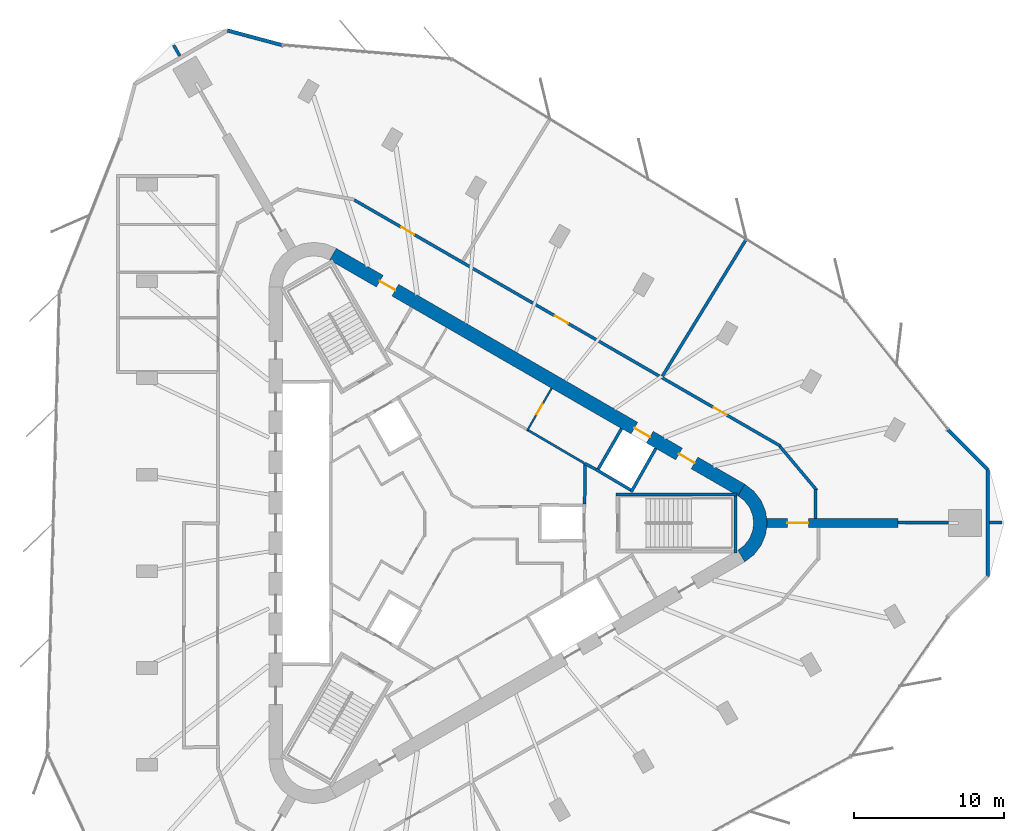
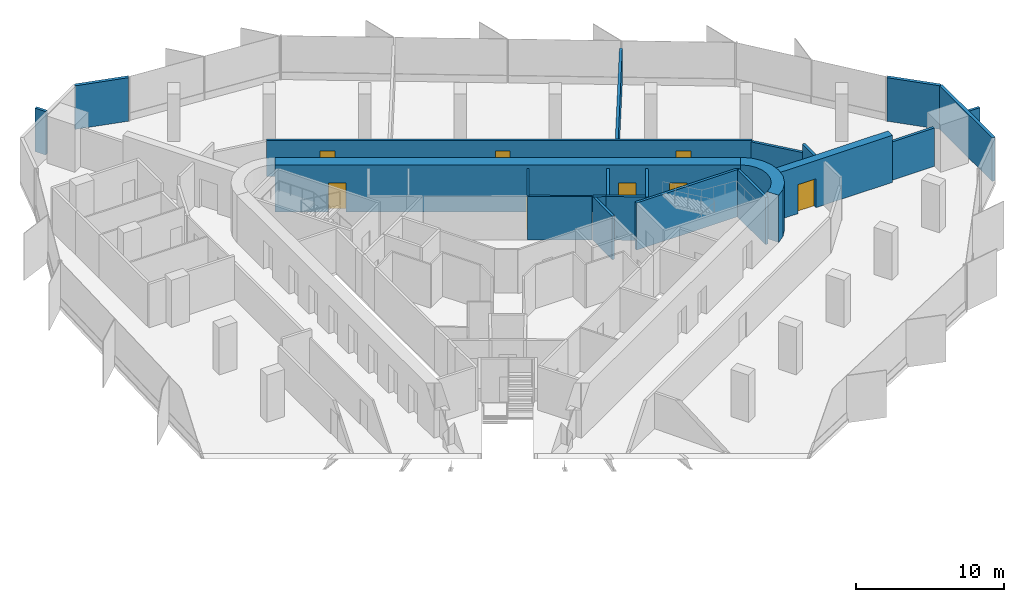
# One storey, part 11 of 13: 22 walls, 8 doors, 8 openings.
"""IFC4 building model written with IfcOpenShell, lengths in metres."""

from ifc_helpers import new_model, si_unit, direction, frame, frame_2d, origin, place, context, subcontext, project, spatial, polyline, rectangle, outline, extrude, material, layer, layer_set, type_object, element, fill, save


model = new_model("IFC4")

# Units and contexts
model_context = context("Model", 3, precision=1e-05, world=origin(), true_north=direction((0.0, 1.0)))
body_context = subcontext(model_context, "Body", "Model", "MODEL_VIEW")
ifc_project = project(units=[si_unit("LENGTHUNIT", "METRE"), si_unit("AREAUNIT", "SQUARE_METRE"), si_unit("VOLUMEUNIT", "CUBIC_METRE"), si_unit("PLANEANGLEUNIT", "RADIAN"), si_unit("MASSUNIT", "GRAM", prefix="KILO")], contexts=[model_context])

# Site, building, storey
site_placement = place(None, origin())
site = spatial("IfcSite", under=ifc_project, at=site_placement, CompositionType="ELEMENT")
building_placement = place(site_placement, origin())
building = spatial("IfcBuilding", under=site, at=building_placement, Name="Tanit Gate Tower", CompositionType="ELEMENT")
storey_placement = place(building_placement, frame((0.0, 0.0, 322.10009765625)))
storey = spatial("IfcBuildingStorey", under=building, at=storey_placement, Name="L72", CompositionType="ELEMENT", Elevation=322.10009765625)

# Wall, opening, door
ifc_material_1 = material(Name="Concrete C40/50", Category="concrete")
ifc_layer_1 = layer(ifc_material_1, 0.60009765625)
ifc_layer_set_1 = layer_set([ifc_layer_1], Name="BUTTRESS FIN 600 C40/50")
wall_type_1 = type_object("IfcWallType", Name="BUTTRESS FIN 600 C40/50", PredefinedType="SHEAR", material=ifc_layer_set_1)
wall_1_placement = place(storey_placement, frame((21.14990234375, 0.0, 0.0), z_axis=(0.0, 0.0, 1.0), x_axis=(1.0, 0.0, 0.0)))
wall_1 = element("IfcWall", 1, at=wall_1_placement, inside=storey, type_object=wall_type_1, Name="BUTTRESS FIN", PredefinedType="SHEAR", context=body_context, shape_type="SweptSolid", body=[
    extrude(rectangle(XDim=8.787353515625, YDim=0.60009765625, at=frame_2d((4.3935546875, 0.0))), origin(), (0.0, 0.0, 1.0), 3.89990234375),
])
opening_1_placement = place(wall_1_placement, frame((1.39990234375, 0.0, 0.0)))
opening_1 = element("IfcOpeningElement", 2, at=opening_1_placement, cuts=wall_1, Name="Opening P14-S20-F-E-1", PredefinedType="OPENING", context=body_context, shape_type="SweptSolid", body=[
    extrude(rectangle(XDim=1.39990234375, YDim=2.39990234375, at=frame_2d((0.699951171875, 1.199951171875))), frame((0.0, 0.31005859375, 0.0), z_axis=(0.0, -1.0, 0.0), x_axis=(1.0, 0.0, 0.0)), (0.0, 0.0, 1.0), 0.6201171875),
])
ifc_material_2 = material(Name="Timber door leaf", Category="wood")
door_type_1 = type_object("IfcDoorType", Name="INT-DOOR-FIN-PAIR-1400", OperationType="NOTDEFINED", PredefinedType="NOTDEFINED", material=ifc_material_2)
door_1_placement = place(opening_1_placement, origin())
door_1 = element("IfcDoor", 3, at=door_1_placement, inside=storey, type_object=door_type_1, Name="Door P14-S20-F-E-1", OperationType="DOUBLE_DOOR_SINGLE_SWING", OverallHeight=2.39990234375, OverallWidth=1.39990234375, PredefinedType="NOTDEFINED", context=body_context, shape_type="SweptSolid", body=[
    extrude(rectangle(XDim=1.39990234375, YDim=2.39990234375, at=frame_2d((0.699951171875, 1.199951171875))), frame((0.0, 0.02490234375, 0.0), z_axis=(0.0, -1.0, 0.0), x_axis=(1.0, 0.0, 0.0)), (0.0, 0.0, 1.0), 0.050048828125),
])
fill(opening_1, door_1)

# Wall, openings, doors
ifc_material_3 = material(Name="Concrete C40/50", Category="concrete")
ifc_layer_2 = layer(ifc_material_3, 0.89990234375)
ifc_layer_set_2 = layer_set([ifc_layer_2], Name="CORE WALL 900 C40/50")
wall_type_2 = type_object("IfcWallType", Name="CORE WALL 900 C40/50", PredefinedType="SHEAR", material=ifc_layer_set_2)
wall_2_placement = place(storey_placement, frame((19.47509765625, 2.20849609375, 0.0), z_axis=(0.0, 0.0, 1.0), x_axis=(-0.866028369851, 0.499994862586, 0.0)))
wall_2 = element("IfcWall", 4, at=wall_2_placement, inside=storey, type_object=wall_type_2, Name="CORE WALL", PredefinedType="SHEAR", context=body_context, shape_type="SweptSolid", body=[
    extrude(rectangle(XDim=31.523193359375, YDim=0.89990234375, at=frame_2d((15.76171875, 0.0))), origin(), (0.0, 0.0, 1.0), 3.89990234375),
])
opening_2_placement = place(wall_2_placement, frame((7.0615234375, 0.0, 0.0)))
opening_2 = element("IfcOpeningElement", 5, at=opening_2_placement, cuts=wall_2, Name="Opening LDHL8-S20", PredefinedType="OPENING", context=body_context, shape_type="SweptSolid", body=[
    extrude(rectangle(XDim=1.199951171875, YDim=2.39990234375, at=frame_2d((0.60009765625, 1.199951171875))), frame((0.0, 0.4599609375, 0.0), z_axis=(0.0, -1.0, 0.0), x_axis=(1.0, 0.0, 0.0)), (0.0, 0.0, 1.0), 0.919921875),
])
opening_3_placement = place(wall_2_placement, frame((3.611572265625, 0.0, 0.0)))
opening_3 = element("IfcOpeningElement", 6, at=opening_3_placement, cuts=wall_2, Name="Opening F12-S20-FL1", PredefinedType="OPENING", context=body_context, shape_type="SweptSolid", body=[
    extrude(rectangle(XDim=1.199951171875, YDim=2.39990234375, at=frame_2d((0.60009765625, 1.199951171875))), frame((0.0, 0.4599609375, 0.0), z_axis=(0.0, -1.0, 0.0), x_axis=(1.0, 0.0, 0.0)), (0.0, 0.0, 1.0), 0.919921875),
])
opening_4_placement = place(wall_2_placement, frame((26.711669921875, 0.0, 0.0)))
opening_4 = element("IfcOpeningElement", 7, at=opening_4_placement, cuts=wall_2, Name="Opening F12-S20-S2", PredefinedType="OPENING", context=body_context, shape_type="SweptSolid", body=[
    extrude(rectangle(XDim=1.199951171875, YDim=2.39990234375, at=frame_2d((0.60009765625, 1.199951171875))), frame((0.0, 0.4599609375, 0.0), z_axis=(0.0, -1.0, 0.0), x_axis=(1.0, 0.0, 0.0)), (0.0, 0.0, 1.0), 0.919921875),
])
ifc_material_4 = material(Name="Fire-rated steel door leaf", Category="steel")
door_type_2 = type_object("IfcDoorType", Name="INT-DOOR-FIRE-LOBBY-1200", OperationType="NOTDEFINED", PredefinedType="USERDEFINED", material=ifc_material_4)
door_2_placement = place(opening_3_placement, origin())
door_2 = element("IfcDoor", 8, at=door_2_placement, inside=storey, type_object=door_type_2, Name="Door F12-S20-FL1", ObjectType="FIRE DOOR", OperationType="SINGLE_SWING_LEFT", OverallHeight=2.39990234375, OverallWidth=1.199951171875, PredefinedType="USERDEFINED", context=body_context, shape_type="SweptSolid", body=[
    extrude(rectangle(XDim=1.199951171875, YDim=2.39990234375, at=frame_2d((0.60009765625, 1.199951171875))), frame((0.0, 0.02490234375, 0.0), z_axis=(0.0, -1.0, 0.0), x_axis=(1.0, 0.0, 0.0)), (0.0, 0.0, 1.0), 0.050048828125),
])
fill(opening_3, door_2)
door_3_placement = place(opening_4_placement, origin())
door_3 = element("IfcDoor", 9, at=door_3_placement, inside=storey, type_object=door_type_2, Name="Door F12-S20-S2", ObjectType="FIRE DOOR", OperationType="SINGLE_SWING_LEFT", OverallHeight=2.39990234375, OverallWidth=1.199951171875, PredefinedType="USERDEFINED", context=body_context, shape_type="SweptSolid", body=[
    extrude(rectangle(XDim=1.199951171875, YDim=2.39990234375, at=frame_2d((0.60009765625, 1.199951171875))), frame((0.0, 0.02490234375, 0.0), z_axis=(0.0, -1.0, 0.0), x_axis=(1.0, 0.0, 0.0)), (0.0, 0.0, 1.0), 0.050048828125),
])
fill(opening_4, door_3)
ifc_material_5 = material(Name="Stainless steel sliding door leaf", Category="steel")
door_type_3 = type_object("IfcDoorType", Name="INT-DOOR-LANDING-1200", OperationType="NOTDEFINED", PredefinedType="USERDEFINED", material=ifc_material_5)
door_4_placement = place(opening_2_placement, origin())
door_4 = element("IfcDoor", 10, at=door_4_placement, inside=storey, type_object=door_type_3, Name="Door LDHL8-S20", ObjectType="LANDING DOOR", OperationType="SLIDING_TO_LEFT", OverallHeight=2.39990234375, OverallWidth=1.199951171875, PredefinedType="USERDEFINED", context=body_context, shape_type="SweptSolid", body=[
    extrude(rectangle(XDim=1.199951171875, YDim=2.39990234375, at=frame_2d((0.60009765625, 1.199951171875))), frame((0.0, 0.02490234375, 0.0), z_axis=(0.0, -1.0, 0.0), x_axis=(1.0, 0.0, 0.0)), (0.0, 0.0, 1.0), 0.050048828125),
])
fill(opening_2, door_4)

# Walls
wall_3_placement = place(storey_placement, origin())
element("IfcWall", 11, at=wall_3_placement, inside=storey, type_object=wall_type_2, Name="CORE WALL CORNER", PredefinedType="SHEAR", context=body_context, shape_type="SweptSolid", body=[
    extrude(outline(polyline([(19.699951171875, -2.59814453125), (20.3212890625, -2.121337890625), (20.798095703125, -1.5), (21.097900390625, -0.776611328125), (21.199951171875, 0.0), (21.097900390625, 0.776611328125), (20.798095703125, 1.5), (20.3212890625, 2.121337890625), (19.699951171875, 2.59814453125), (19.25, 1.818603515625), (19.684814453125, 1.48486328125), (20.018798828125, 1.050048828125), (20.228515625, 0.54345703125), (20.300048828125, 0.0), (20.228515625, -0.54345703125), (20.018798828125, -1.050048828125), (19.684814453125, -1.48486328125), (19.25, -1.818603515625), (19.699951171875, -2.59814453125)])), origin(), (0.0, 0.0, 1.0), 3.89990234375),
])
ifc_material_6 = material(Name="Concrete C30/37 with bronze anodised aluminium cladding", Category="concrete")
ifc_layer_3 = layer(ifc_material_6, 0.239990234375)
ifc_layer_set_3 = layer_set([ifc_layer_3], Name="Facade wall bronze clad 240")
wall_type_3 = type_object("IfcWallType", Name="Facade wall bronze clad 240", PredefinedType="SOLIDWALL", material=ifc_layer_set_3)
wall_4_placement = place(storey_placement, frame((-11.245849609375, 31.95458984375, 0.0), z_axis=(0.0, 0.0, 1.0), x_axis=(-0.965926566302, 0.258816283321, 0.0)))
element("IfcWall", 12, at=wall_4_placement, inside=storey, type_object=wall_type_3, Name="Bronze-clad facade wall L72 NW.arc1", PredefinedType="SOLIDWALL", context=body_context, shape_type="SweptSolid", body=[
    extrude(rectangle(XDim=3.75341796875, YDim=0.239990234375, at=frame_2d((1.876708984375, 0.0))), origin(), (0.0, 0.0, 1.0), 3.599853515625),
])
wall_5_placement = place(storey_placement, frame((35.950439453125, -3.583984375, 0.0), z_axis=(0.0, 0.0, 1.0), x_axis=(0.0, 1.0, 0.0)))
element("IfcWall", 13, at=wall_5_placement, inside=storey, type_object=wall_type_3, Name="Bronze-clad facade wall L72 E.arc2", PredefinedType="SOLIDWALL", context=body_context, shape_type="SweptSolid", body=[
    extrude(rectangle(XDim=7.16796875, YDim=0.239990234375, at=frame_2d((3.583984375, 0.0))), origin(), (0.0, 0.0, 1.0), 3.599853515625),
])
wall_6_placement = place(storey_placement, frame((35.950439453125, 3.583984375, 0.0), z_axis=(0.0, 0.0, 1.0), x_axis=(-0.707074223377, 0.707139337497, 0.0)))
element("IfcWall", 14, at=wall_6_placement, inside=storey, type_object=wall_type_3, Name="Bronze-clad facade wall L72 E.arc3", PredefinedType="SOLIDWALL", context=body_context, shape_type="SweptSolid", body=[
    extrude(rectangle(XDim=3.74951171875, YDim=0.239990234375, at=frame_2d((1.874755859375, 0.0))), origin(), (0.0, 0.0, 1.0), 3.599853515625),
])
ifc_material_7 = material(Name="Fire-rated gypsum board partition")
ifc_layer_4 = layer(ifc_material_7, 0.199951171875)
ifc_layer_set_4 = layer_set([ifc_layer_4], Name="INT-WALL-COMPARTMENT")
wall_type_4 = type_object("IfcWallType", Name="INT-WALL-COMPARTMENT", PredefinedType="PARTITIONING", material=ifc_layer_set_4)
wall_7_placement = place(storey_placement, frame((8.97412109375, 3.998779296875, 0.0), z_axis=(0.0, 0.0, 1.0), x_axis=(0.880917147855, -0.473270513147, 0.0)))
element("IfcWall", 15, at=wall_7_placement, inside=storey, type_object=wall_type_4, Name="Wall Compartment W045", PredefinedType="PARTITIONING", context=body_context, shape_type="SweptSolid", body=[
    extrude(rectangle(XDim=0.8779296875, YDim=0.199951171875, at=frame_2d((0.43896484375, 0.0))), origin(), (0.0, 0.0, 1.0), 3.599853515625),
])
wall_8_placement = place(storey_placement, frame((9.0009765625, 1.27001953125, 0.0), z_axis=(0.0, 0.0, 1.0), x_axis=(0.01074821465, 0.999942236273, 0.0)))
element("IfcWall", 16, at=wall_8_placement, inside=storey, type_object=wall_type_4, Name="Wall Compartment W059", PredefinedType="PARTITIONING", context=body_context, shape_type="SweptSolid", body=[
    extrude(rectangle(XDim=2.725830078125, YDim=0.199951171875, at=frame_2d((1.36279296875, 0.0))), origin(), (0.0, 0.0, 1.0), 3.599853515625),
])

# Wall, openings, doors
wall_9_placement = place(storey_placement, frame((22.074462890625, 5.153076171875, 0.0), z_axis=(0.0, 0.0, 1.0), x_axis=(-0.866023485483, 0.500003322581, 0.0)))
wall_9 = element("IfcWall", 17, at=wall_9_placement, inside=storey, type_object=wall_type_4, Name="Wall Compartment W099", PredefinedType="PARTITIONING", context=body_context, shape_type="SweptSolid", body=[
    extrude(rectangle(XDim=32.881103515625, YDim=0.199951171875, at=frame_2d((16.4404296875, 0.0))), origin(), (0.0, 0.0, 1.0), 2.969970703125),
])
opening_5_placement = place(wall_9_placement, frame((28.2490234375, 0.0, 0.0)))
opening_5 = element("IfcOpeningElement", 18, at=opening_5_placement, cuts=wall_9, Name="Opening F10-S20-24", PredefinedType="OPENING", context=body_context, shape_type="SweptSolid", body=[
    extrude(rectangle(XDim=1.0, YDim=2.10009765625, at=frame_2d((0.5, 1.050048828125))), frame((0.0, 0.10986328125, 0.0), z_axis=(0.0, -1.0, 0.0), x_axis=(1.0, 0.0, 0.0)), (0.0, 0.0, 1.0), 0.219970703125),
])
opening_6_placement = place(wall_9_placement, frame((16.386962890625, 0.0, 0.0)))
opening_6 = element("IfcOpeningElement", 19, at=opening_6_placement, cuts=wall_9, Name="Opening F10-S20-25", PredefinedType="OPENING", context=body_context, shape_type="SweptSolid", body=[
    extrude(rectangle(XDim=1.0, YDim=2.10009765625, at=frame_2d((0.5, 1.050048828125))), frame((0.0, 0.10986328125, 0.0), z_axis=(0.0, -1.0, 0.0), x_axis=(1.0, 0.0, 0.0)), (0.0, 0.0, 1.0), 0.219970703125),
])
opening_7_placement = place(wall_9_placement, frame((4.12841796875, 0.0, 0.0)))
opening_7 = element("IfcOpeningElement", 20, at=opening_7_placement, cuts=wall_9, Name="Opening F10-S20-26", PredefinedType="OPENING", context=body_context, shape_type="SweptSolid", body=[
    extrude(rectangle(XDim=1.0, YDim=2.10009765625, at=frame_2d((0.5, 1.050048828125))), frame((0.0, 0.10986328125, 0.0), z_axis=(0.0, -1.0, 0.0), x_axis=(1.0, 0.0, 0.0)), (0.0, 0.0, 1.0), 0.219970703125),
])
ifc_material_8 = material(Name="Fire-rated steel door leaf", Category="steel")
door_type_4 = type_object("IfcDoorType", Name="INT-DOOR-FIRE-1000", OperationType="NOTDEFINED", PredefinedType="USERDEFINED", material=ifc_material_8)
door_5_placement = place(opening_5_placement, origin())
door_5 = element("IfcDoor", 21, at=door_5_placement, inside=storey, type_object=door_type_4, Name="Door F10-S20-24", ObjectType="FIRE DOOR", OperationType="SINGLE_SWING_RIGHT", OverallHeight=2.10009765625, OverallWidth=1.0, PredefinedType="USERDEFINED", context=body_context, shape_type="SweptSolid", body=[
    extrude(rectangle(XDim=1.0, YDim=2.10009765625, at=frame_2d((0.5, 1.050048828125))), frame((0.0, 0.02490234375, 0.0), z_axis=(0.0, -1.0, 0.0), x_axis=(1.0, 0.0, 0.0)), (0.0, 0.0, 1.0), 0.050048828125),
])
fill(opening_5, door_5)
door_6_placement = place(opening_6_placement, origin())
door_6 = element("IfcDoor", 22, at=door_6_placement, inside=storey, type_object=door_type_4, Name="Door F10-S20-25", ObjectType="FIRE DOOR", OperationType="SINGLE_SWING_LEFT", OverallHeight=2.10009765625, OverallWidth=1.0, PredefinedType="USERDEFINED", context=body_context, shape_type="SweptSolid", body=[
    extrude(rectangle(XDim=1.0, YDim=2.10009765625, at=frame_2d((0.5, 1.050048828125))), frame((0.0, 0.02490234375, 0.0), z_axis=(0.0, -1.0, 0.0), x_axis=(1.0, 0.0, 0.0)), (0.0, 0.0, 1.0), 0.050048828125),
])
fill(opening_6, door_6)
door_7_placement = place(opening_7_placement, origin())
door_7 = element("IfcDoor", 23, at=door_7_placement, inside=storey, type_object=door_type_4, Name="Door F10-S20-26", ObjectType="FIRE DOOR", OperationType="SINGLE_SWING_RIGHT", OverallHeight=2.10009765625, OverallWidth=1.0, PredefinedType="USERDEFINED", context=body_context, shape_type="SweptSolid", body=[
    extrude(rectangle(XDim=1.0, YDim=2.10009765625, at=frame_2d((0.5, 1.050048828125))), frame((0.0, 0.02490234375, 0.0), z_axis=(0.0, -1.0, 0.0), x_axis=(1.0, 0.0, 0.0)), (0.0, 0.0, 1.0), 0.050048828125),
])
fill(opening_7, door_7)

# Walls
wall_10_placement = place(storey_placement, frame((24.520751953125, 2.1845703125, 0.0), z_axis=(0.0, 0.0, 1.0), x_axis=(-0.642781993054, 0.766049155998, 0.0)))
element("IfcWall", 24, at=wall_10_placement, inside=storey, type_object=wall_type_4, Name="Wall Compartment W100", PredefinedType="PARTITIONING", context=body_context, shape_type="SweptSolid", body=[
    extrude(rectangle(XDim=3.84033203125, YDim=0.199951171875, at=frame_2d((1.920166015625, 0.0))), origin(), (0.0, 0.0, 1.0), 2.8798828125),
])
wall_11_placement = place(storey_placement, frame((24.420166015625, 0.300048828125, 0.0), z_axis=(0.0, 0.0, 1.0), x_axis=(0.013193472226, 0.999912962358, 0.0)))
element("IfcWall", 25, at=wall_11_placement, inside=storey, type_object=wall_type_4, Name="Wall Compartment W101", PredefinedType="PARTITIONING", context=body_context, shape_type="SweptSolid", body=[
    extrude(rectangle(XDim=1.924560546875, YDim=0.199951171875, at=frame_2d((0.96240234375, 0.0))), origin(), (0.0, 0.0, 1.0), 3.599853515625),
])
wall_12_placement = place(storey_placement, frame((-18.061279296875, 31.222900390625, 0.0), z_axis=(0.0, 0.0, 1.0), x_axis=(-0.499798627271, 0.866141635172, 0.0)))
element("IfcWall", 26, at=wall_12_placement, inside=storey, type_object=wall_type_4, Name="Wall Compartment W108", PredefinedType="PARTITIONING", context=body_context, shape_type="SweptSolid", body=[
    extrude(rectangle(XDim=0.832275390625, YDim=0.199951171875, at=frame_2d((0.416015625, 0.0))), origin(), (0.0, 0.0, 1.0), 3.599853515625),
])
wall_13_placement = place(storey_placement, frame((19.794677734375, 18.95458984375, 0.0), z_axis=(0.0, 0.0, 1.0), x_axis=(-0.522384145162, -0.852710270187, 0.0)))
element("IfcWall", 27, at=wall_13_placement, inside=storey, type_object=wall_type_4, Name="Wall Compartment W121", PredefinedType="PARTITIONING", context=body_context, shape_type="SweptSolid", body=[
    extrude(rectangle(XDim=10.716064453125, YDim=0.199951171875, at=frame_2d((5.35791015625, 0.0))), origin(), (0.0, 0.0, 1.0), 2.969970703125),
])
wall_14_placement = place(storey_placement, frame((33.3349609375, 0.030029296875, 0.0), z_axis=(0.0, 0.0, 1.0), x_axis=(-0.999994052186, -0.003448998671, 0.0)))
element("IfcWall", 28, at=wall_14_placement, inside=storey, type_object=wall_type_4, Name="Wall Compartment W122", PredefinedType="PARTITIONING", context=body_context, shape_type="SweptSolid", body=[
    extrude(rectangle(XDim=3.397705078125, YDim=0.199951171875, at=frame_2d((1.69873046875, 0.0))), origin(), (0.0, 0.0, 1.0), 3.169921875),
])
wall_15_placement = place(storey_placement, frame((36.90283203125, 0.030029296875, 0.0), z_axis=(0.0, 0.0, 1.0), x_axis=(-1.0, 0.0, 0.0)))
element("IfcWall", 29, at=wall_15_placement, inside=storey, type_object=wall_type_4, Name="Wall Compartment W123", PredefinedType="PARTITIONING", context=body_context, shape_type="SweptSolid", body=[
    extrude(rectangle(XDim=0.832275390625, YDim=0.199951171875, at=frame_2d((0.416015625, 0.0))), origin(), (0.0, 0.0, 1.0), 3.599853515625),
])

# Wall, opening, door
ifc_material_9 = material(Name="Gypsum board partition")
ifc_layer_5 = layer(ifc_material_9, 0.1201171875)
ifc_layer_set_5 = layer_set([ifc_layer_5], Name="INT-WALL-PARTITION")
wall_type_5 = type_object("IfcWallType", Name="INT-WALL-PARTITION", PredefinedType="PARTITIONING", material=ifc_layer_set_5)
wall_16_placement = place(storey_placement, frame((5.170166015625, 6.19482421875, 0.0), z_axis=(0.0, 0.0, 1.0), x_axis=(0.499984717929, 0.866034226713, 0.0)))
wall_16 = element("IfcWall", 30, at=wall_16_placement, inside=storey, type_object=wall_type_5, Name="Wall Partition W044", PredefinedType="PARTITIONING", context=body_context, shape_type="SweptSolid", body=[
    extrude(rectangle(XDim=3.25, YDim=0.1201171875, at=frame_2d((1.625, 0.0))), origin(), (0.0, 0.0, 1.0), 3.599853515625),
])
opening_8_placement = place(wall_16_placement, frame((1.22509765625, 0.0, 0.0)))
opening_8 = element("IfcOpeningElement", 31, at=opening_8_placement, cuts=wall_16, Name="Opening R08-S20-13", PredefinedType="OPENING", context=body_context, shape_type="SweptSolid", body=[
    extrude(rectangle(XDim=0.800048828125, YDim=2.10009765625, at=frame_2d((0.39990234375, 1.050048828125))), frame((0.0, 0.070068359375, 0.0), z_axis=(0.0, -1.0, 0.0), x_axis=(1.0, 0.0, 0.0)), (0.0, 0.0, 1.0), 0.14013671875),
])
ifc_material_10 = material(Name="Timber door leaf", Category="wood")
door_type_5 = type_object("IfcDoorType", Name="INT-DOOR-RISER-800", OperationType="NOTDEFINED", PredefinedType="USERDEFINED", material=ifc_material_10)
door_8_placement = place(opening_8_placement, origin())
door_8 = element("IfcDoor", 32, at=door_8_placement, inside=storey, type_object=door_type_5, Name="Door R08-S20-13", ObjectType="FIRE DOOR", OperationType="SINGLE_SWING_LEFT", OverallHeight=2.10009765625, OverallWidth=0.800048828125, PredefinedType="USERDEFINED", context=body_context, shape_type="SweptSolid", body=[
    extrude(rectangle(XDim=0.800048828125, YDim=2.10009765625, at=frame_2d((0.39990234375, 1.050048828125))), frame((0.0, 0.02490234375, 0.0), z_axis=(0.0, -1.0, 0.0), x_axis=(1.0, 0.0, 0.0)), (0.0, 0.0, 1.0), 0.050048828125),
])
fill(opening_8, door_8)

# Walls
ifc_material_11 = material(Name="Fire-rated gypsum board partition")
ifc_layer_6 = layer(ifc_material_11, 0.14990234375)
ifc_layer_set_6 = layer_set([ifc_layer_6], Name="INT-WALL-RISER")
wall_type_6 = type_object("IfcWallType", Name="INT-WALL-RISER", PredefinedType="PLUMBINGWALL", material=ifc_layer_set_6)
wall_17_placement = place(storey_placement, frame((8.9306640625, 4.024658203125, 0.0), z_axis=(0.0, 0.0, 1.0), x_axis=(-0.862666884027, 0.505772525157, 0.0)))
element("IfcWall", 33, at=wall_17_placement, inside=storey, type_object=wall_type_6, Name="Wall Riser W046", PredefinedType="PLUMBINGWALL", context=body_context, shape_type="SweptSolid", body=[
    extrude(rectangle(XDim=4.371826171875, YDim=0.14990234375, at=frame_2d((2.18603515625, 0.0))), origin(), (0.0, 0.0, 1.0), 3.599853515625),
])
ifc_material_12 = material(Name="Gypsum shaft wall system")
ifc_layer_7 = layer(ifc_material_12, 0.199951171875)
ifc_layer_set_7 = layer_set([ifc_layer_7], Name="INT-WALL-SHAFT")
wall_type_7 = type_object("IfcWallType", Name="INT-WALL-SHAFT", PredefinedType="PLUMBINGWALL", material=ifc_layer_set_7)
wall_18_placement = place(storey_placement, frame((9.8466796875, 3.494873046875, 0.0), z_axis=(0.0, 0.0, 1.0), x_axis=(0.499984717929, 0.866034226713, 0.0)))
element("IfcWall", 34, at=wall_18_placement, inside=storey, type_object=wall_type_7, Name="Wall Shaft W012", PredefinedType="PLUMBINGWALL", context=body_context, shape_type="SweptSolid", body=[
    extrude(rectangle(XDim=3.25, YDim=0.199951171875, at=frame_2d((1.625, 0.0))), origin(), (0.0, 0.0, 1.0), 3.599853515625),
])
wall_19_placement = place(storey_placement, frame((12.10986328125, 2.07275390625, 0.0), z_axis=(0.0, 0.0, 1.0), x_axis=(0.49196600604, 0.870614408852, 0.0)))
element("IfcWall", 35, at=wall_19_placement, inside=storey, type_object=wall_type_7, Name="Wall Shaft W013", PredefinedType="PLUMBINGWALL", context=body_context, shape_type="SweptSolid", body=[
    extrude(rectangle(XDim=3.35009765625, YDim=0.199951171875, at=frame_2d((1.675048828125, 0.0))), origin(), (0.0, 0.0, 1.0), 3.599853515625),
])
wall_20_placement = place(storey_placement, frame((12.072998046875, 2.2109375, 0.0), z_axis=(0.0, 0.0, 1.0), x_axis=(-0.860414880418, 0.509594185166, 0.0)))
element("IfcWall", 36, at=wall_20_placement, inside=storey, type_object=wall_type_7, Name="Wall Shaft W014", PredefinedType="PLUMBINGWALL", context=body_context, shape_type="SweptSolid", body=[
    extrude(rectangle(XDim=2.7001953125, YDim=0.199951171875, at=frame_2d((1.35009765625, 0.0))), origin(), (0.0, 0.0, 1.0), 3.599853515625),
])
ifc_material_13 = material(Name="Concrete C40/50", Category="concrete")
ifc_layer_8 = layer(ifc_material_13, 0.199951171875)
ifc_layer_set_8 = layer_set([ifc_layer_8], Name="INT-WALL-STAIR")
wall_type_8 = type_object("IfcWallType", Name="INT-WALL-STAIR", PredefinedType="SHEAR", material=ifc_layer_set_8)
wall_21_placement = place(storey_placement, frame((19.199951171875, 1.89990234375, -0.300048828125), z_axis=(0.0, 0.0, 1.0), x_axis=(-1.0, 0.0, 0.0)))
element("IfcWall", 37, at=wall_21_placement, inside=storey, type_object=wall_type_8, Name="Wall Stair W020", PredefinedType="SHEAR", context=body_context, shape_type="SweptSolid", body=[
    extrude(rectangle(XDim=8.099853515625, YDim=0.199951171875, at=frame_2d((4.0498046875, 0.0))), origin(), (0.0, 0.0, 1.0), 3.89990234375),
])
wall_22_placement = place(storey_placement, frame((19.10009765625, -2.0, -0.300048828125), z_axis=(0.0, 0.0, 1.0), x_axis=(0.0, 1.0, 0.0)))
element("IfcWall", 38, at=wall_22_placement, inside=storey, type_object=wall_type_8, Name="Wall Stair W021", PredefinedType="SHEAR", context=body_context, shape_type="SweptSolid", body=[
    extrude(rectangle(XDim=3.800048828125, YDim=0.199951171875, at=frame_2d((1.89990234375, 0.0))), origin(), (0.0, 0.0, 1.0), 3.89990234375),
])

save(model, "model.ifc")
